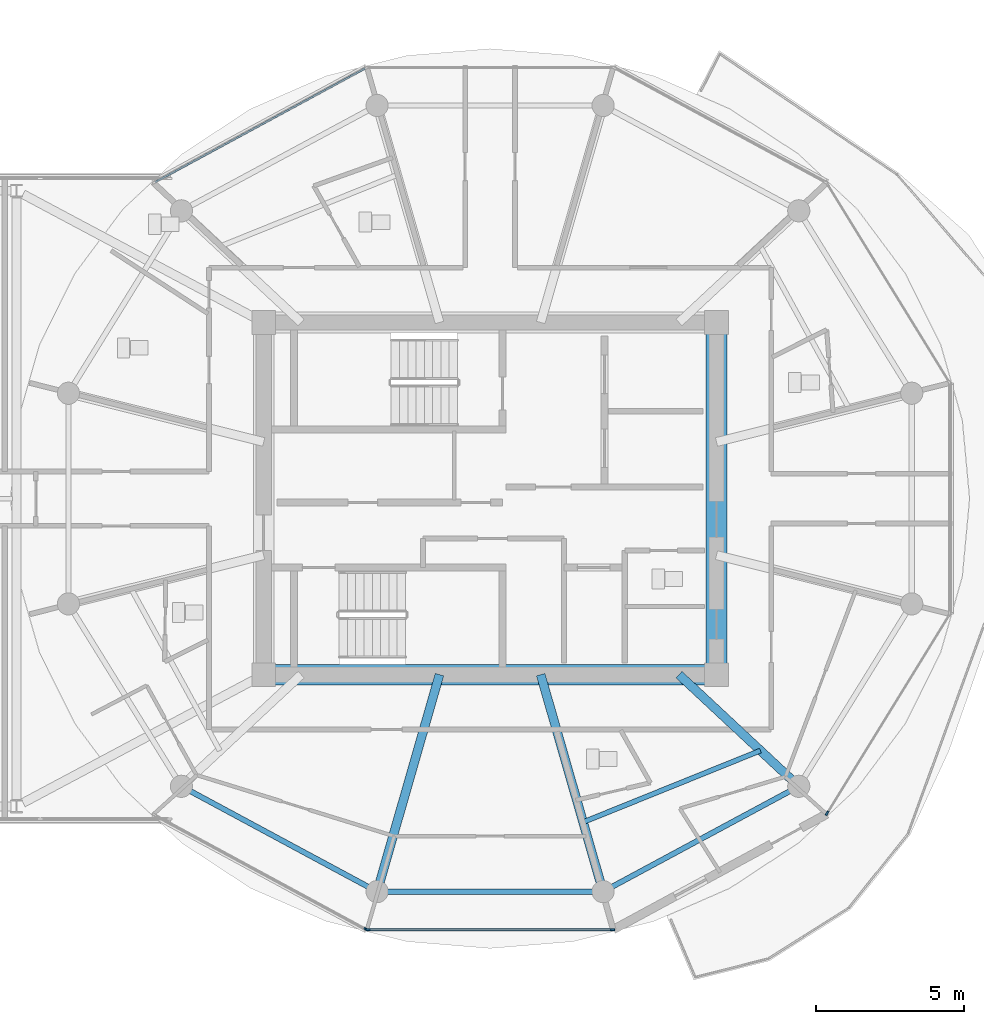
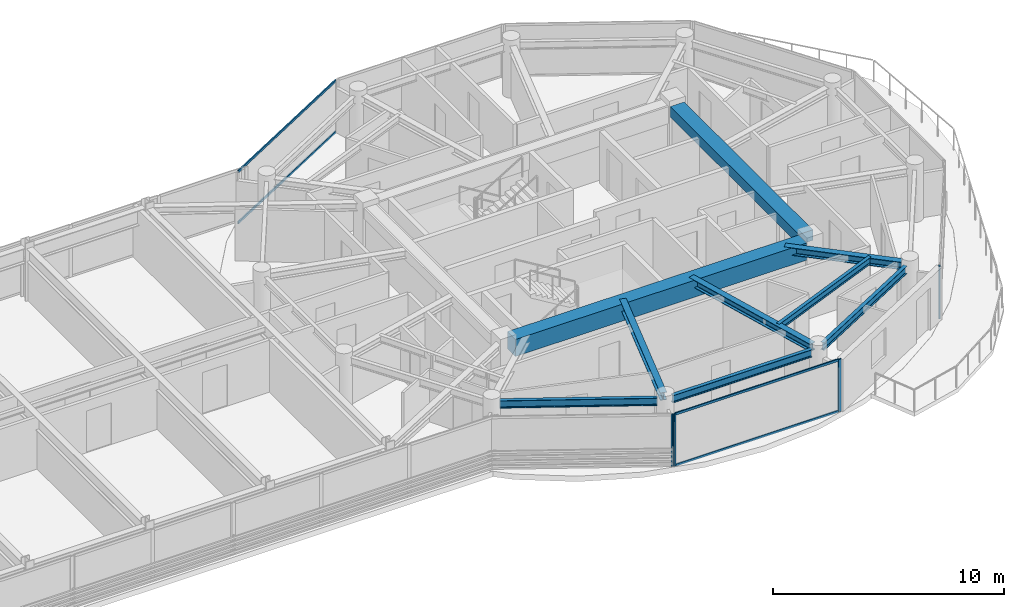
# One storey, part 9 of 26: 9 beams, 8 members, 4 elements without a shape of their own.
"""IFC4 building model written with IfcOpenShell, lengths in metres."""

from ifc_helpers import new_model, si_unit, direction, frame, origin, origin_2d, place, context, subcontext, project, spatial, rectangle, i_section, extrude, source, transform, mapped, material, layer, layer_set, material_profile, profile_set, type_object, type_shapes, element, aggregate, save


model = new_model("IFC4")

# Units and contexts
model_context = context("Model", 3, precision=1e-05, world=origin(), true_north=direction((0.0, 1.0)))
body_context = subcontext(model_context, "Body", "Model", "MODEL_VIEW")
ifc_project = project(units=[si_unit("LENGTHUNIT", "METRE"), si_unit("AREAUNIT", "SQUARE_METRE"), si_unit("VOLUMEUNIT", "CUBIC_METRE"), si_unit("PLANEANGLEUNIT", "RADIAN"), si_unit("MASSUNIT", "GRAM", prefix="KILO")], contexts=[model_context])

# Site, building, storey
site_placement = place(None, origin())
site = spatial("IfcSite", under=ifc_project, at=site_placement, CompositionType="ELEMENT")
building_placement = place(site_placement, origin())
building = spatial("IfcBuilding", under=site, at=building_placement, Name="Norrkilde Senior Care Towers", CompositionType="ELEMENT")
storey_placement = place(building_placement, frame((0.0, 0.0, 210.85009765625)))
storey = spatial("IfcBuildingStorey", under=building, at=storey_placement, Name="L65", CompositionType="ELEMENT", Elevation=210.85009765625)

# Beams
ifc_material_1 = material(Name="Concrete C60/75", Category="concrete")
ifc_material_profile_1 = material_profile(ifc_material_1, rectangle(XDim=0.699951171875, YDim=0.89990234375, at=origin_2d()), Name="RC BM 700x900")
ifc_profile_set_1 = profile_set([ifc_material_profile_1], Name="Concrete C60/75")
beam_type_1 = type_object("IfcBeamType", Name="Core Coupling Girder 700x900", PredefinedType="USERDEFINED", material=ifc_profile_set_1)
shared_shape_1 = source(origin(), body_context, "Body", "SweptSolid", [
    extrude(rectangle(XDim=0.699951171875, YDim=0.89990234375, at=origin_2d()), origin(), (0.0, 0.0, 1.0), 14.5400390625),
])
type_shapes(beam_type_1, [shared_shape_1])
beam_1_placement = place(storey_placement, frame((20.72998046875, -5.949951171875, 2.309814453125), z_axis=(1.0, 0.0, 0.0), x_axis=(0.0, 1.0, 0.0)))
element("IfcBeam", 1, at=beam_1_placement, inside=storey, type_object=beam_type_1, Name="L65 Core E S Coupling Girder", ObjectType="GIRDER", PredefinedType="USERDEFINED", context=body_context, shape_type="MappedRepresentation", body=[
    mapped(shared_shape_1, transform((0.0, 0.0, 0.0), x_axis=(1.0, 0.0, 0.0), y_axis=(0.0, 1.0, 0.0), z_axis=(0.0, 0.0, 1.0), scale=1.0)),
])
ifc_material_profile_2 = material_profile(ifc_material_1, rectangle(XDim=0.699951171875, YDim=0.550048828125, at=origin_2d()), Name="RC BM 700x550")
ifc_profile_set_2 = profile_set([ifc_material_profile_2], Name="Concrete C60/75")
beam_type_2 = type_object("IfcBeamType", Name="Core Portal Coupling Beam 700x550", PredefinedType="USERDEFINED", material=ifc_profile_set_2)
shared_shape_2 = source(origin(), body_context, "Body", "SweptSolid", [
    extrude(rectangle(XDim=0.699951171875, YDim=0.550048828125, at=origin_2d()), origin(), (0.0, 0.0, 1.0), 11.14013671875),
])
type_shapes(beam_type_2, [shared_shape_2])
beam_2_placement = place(storey_placement, frame((35.64990234375, -5.570068359375, 2.48486328125), z_axis=(0.0, 1.0, 0.0), x_axis=(-1.0, 0.0, 0.0)))
element("IfcBeam", 2, at=beam_2_placement, inside=storey, type_object=beam_type_2, Name="L65 Core E E Coupling Girder", ObjectType="GIRDER", PredefinedType="USERDEFINED", context=body_context, shape_type="MappedRepresentation", body=[
    mapped(shared_shape_2, transform((0.0, 0.0, 0.0), x_axis=(1.0, 0.0, 0.0), y_axis=(0.0, 1.0, 0.0), z_axis=(0.0, 0.0, 1.0), scale=1.0)),
])
ifc_material_2 = material(Name="Steel S355", Category="steel")
ifc_material_profile_3 = material_profile(ifc_material_2, i_section(OverallWidth=0.179931640625, OverallDepth=0.39990234375, WebThickness=0.008544921875, FlangeThickness=0.013427734375, FilletRadius=0.02099609375, at=origin_2d()), Name="IPE 400")
ifc_profile_set_3 = profile_set([ifc_material_profile_3], Name="Steel S355")
beam_type_3 = type_object("IfcBeamType", Name="Perimeter Ring Spandrel Z4 IPE400", PredefinedType="SPANDREL", material=ifc_profile_set_3)
shared_shape_3 = source(origin(), body_context, "Body", "SweptSolid", [
    extrude(i_section(OverallWidth=0.179931640625, OverallDepth=0.39990234375, WebThickness=0.008544921875, FlangeThickness=0.013427734375, FilletRadius=0.02099609375, at=origin_2d()), origin(), (0.0, 0.0, 1.0), 6.839111328125),
])
for number, where, z_axis, x_axis, name in (
    (3, (17.865234375, -9.881591796875, 2.559814453125), (0.880563930732, -0.473927382511, 0.0), (0.473927382511, 0.880563930732, 0.0), "L65 Drum E Perimeter Spandrel 08"),
    (4, (32.112548828125, -13.122802734375, 2.559814453125), (0.880563930732, 0.473927382511, 0.0), (-0.473927382511, 0.880563930732, 0.0), "L65 Drum E Perimeter Spandrel 10"),
):
    element("IfcBeam", number, at=place(storey_placement, frame(where, z_axis=z_axis, x_axis=x_axis)), inside=storey, type_object=beam_type_3, Name=name, PredefinedType="SPANDREL", context=body_context, shape_type="MappedRepresentation", body=[
        mapped(shared_shape_3, transform((0.0, 0.0, 0.0), x_axis=(1.0, 0.0, 0.0), y_axis=(0.0, 1.0, 0.0), z_axis=(0.0, 0.0, 1.0), scale=1.0)),
    ])
ifc_material_profile_4 = material_profile(ifc_material_2, i_section(OverallWidth=0.300048828125, OverallDepth=0.39990234375, WebThickness=0.013427734375, FlangeThickness=0.02392578125, FilletRadius=0.027099609375, at=origin_2d()), Name="HEB 400")
ifc_profile_set_4 = profile_set([ifc_material_profile_4], Name="Steel S355")
beam_type_4 = type_object("IfcBeamType", Name="Radial Floor Beam Z4 HEB400", PredefinedType="BEAM", material=ifc_profile_set_4)
shared_shape_4 = source(origin(), body_context, "Body", "SweptSolid", [
    extrude(i_section(OverallWidth=0.300048828125, OverallDepth=0.39990234375, WebThickness=0.013427734375, FlangeThickness=0.02392578125, FilletRadius=0.027099609375, at=origin_2d()), origin(), (0.0, 0.0, 1.0), 5.197998046875),
])
beam_3_placement = place(storey_placement, frame((34.3828125, -5.949951171875, 2.559814453125), z_axis=(0.731448749334, -0.681896419625, 0.0), x_axis=(0.681896419625, 0.731448749334, 0.0)))
element("IfcBeam", 5, at=beam_3_placement, inside=storey, type_object=beam_type_4, Name="L65 Drum E Radial Floor Beam 11", PredefinedType="BEAM", context=body_context, shape_type="MappedRepresentation", body=[
    mapped(shared_shape_4, transform((0.0, 0.0, 0.0), x_axis=(1.0, 0.0, 0.0), y_axis=(0.0, 1.0, 0.0), z_axis=(0.0, 0.0, 1.0), scale=1.0)),
])
shared_shape_5 = source(origin(), body_context, "Body", "SweptSolid", [
    extrude(i_section(OverallWidth=0.179931640625, OverallDepth=0.39990234375, WebThickness=0.008544921875, FlangeThickness=0.013427734375, FilletRadius=0.02099609375, at=origin_2d()), origin(), (0.0, 0.0, 1.0), 6.96533203125),
])
type_shapes(beam_type_3, [shared_shape_3, shared_shape_5])
beam_4_placement = place(storey_placement, frame((24.517333984375, -13.281494140625, 2.559814453125), z_axis=(1.0, 0.0, 0.0), x_axis=(0.0, 1.0, 0.0)))
element("IfcBeam", 6, at=beam_4_placement, inside=storey, type_object=beam_type_3, Name="L65 Drum E Perimeter Spandrel 09", PredefinedType="SPANDREL", context=body_context, shape_type="MappedRepresentation", body=[
    mapped(shared_shape_5, transform((0.0, 0.0, 0.0), x_axis=(1.0, 0.0, 0.0), y_axis=(0.0, 1.0, 0.0), z_axis=(0.0, 0.0, 1.0), scale=1.0)),
])
shared_shape_6 = source(origin(), body_context, "Body", "SweptSolid", [
    extrude(i_section(OverallWidth=0.300048828125, OverallDepth=0.39990234375, WebThickness=0.013427734375, FlangeThickness=0.02392578125, FilletRadius=0.027099609375, at=origin_2d()), origin(), (0.0, 0.0, 1.0), 7.29345703125),
])
type_shapes(beam_type_4, [shared_shape_4, shared_shape_6])
for number, where, z_axis, x_axis, name in (
    (7, (26.289794921875, -5.949951171875, 2.559814453125), (-0.276263751906, -0.961081858836, 0.0), (0.961081858836, -0.276263751906, 0.0), "L65 Drum E Radial Floor Beam 09"),
    (8, (29.710205078125, -5.949951171875, 2.559814453125), (0.276263751906, -0.961081858836, 0.0), (0.961081858836, 0.276263751906, 0.0), "L65 Drum E Radial Floor Beam 10"),
):
    element("IfcBeam", number, at=place(storey_placement, frame(where, z_axis=z_axis, x_axis=x_axis)), inside=storey, type_object=beam_type_4, Name=name, PredefinedType="BEAM", context=body_context, shape_type="MappedRepresentation", body=[
        mapped(shared_shape_6, transform((0.0, 0.0, 0.0), x_axis=(1.0, 0.0, 0.0), y_axis=(0.0, 1.0, 0.0), z_axis=(0.0, 0.0, 1.0), scale=1.0)),
    ])
ifc_material_profile_5 = material_profile(ifc_material_2, i_section(OverallWidth=0.169921875, OverallDepth=0.360107421875, WebThickness=0.008056640625, FlangeThickness=0.0126953125, FilletRadius=0.01806640625, at=origin_2d()), Name="IPE 360")
ifc_profile_set_5 = profile_set([ifc_material_profile_5], Name="Steel S355")
beam_type_5 = type_object("IfcBeamType", Name="Secondary Floor Joist IPE360", PredefinedType="JOIST", material=ifc_profile_set_5)
shared_shape_7 = source(origin(), body_context, "Body", "SweptSolid", [
    extrude(i_section(OverallWidth=0.169921875, OverallDepth=0.360107421875, WebThickness=0.008056640625, FlangeThickness=0.0126953125, FilletRadius=0.01806640625, at=origin_2d()), origin(), (0.0, 0.0, 1.0), 6.461669921875),
])
type_shapes(beam_type_5, [shared_shape_7])
beam_5_placement = place(storey_placement, frame((31.143310546875, -10.935302734375, 2.579833984375), z_axis=(0.927225942298, 0.374502405772, 0.0), x_axis=(-0.374502405772, 0.927225942298, 0.0)))
element("IfcBeam", 9, at=beam_5_placement, inside=storey, type_object=beam_type_5, Name="L65 Drum E Secondary Floor Joist 4", PredefinedType="JOIST", context=body_context, shape_type="MappedRepresentation", body=[
    mapped(shared_shape_7, transform((0.0, 0.0, 0.0), x_axis=(1.0, 0.0, 0.0), y_axis=(0.0, 1.0, 0.0), z_axis=(0.0, 0.0, 1.0), scale=1.0)),
])

# Curtain wall, members
ifc_material_3 = material(Name="Triple Low-E Insulated Glazing", Category="glass")
ifc_layer = layer(ifc_material_3, 0.18505859375)
ifc_layer_set = layer_set([ifc_layer], Name="Triple Low-E Insulated Glazing")
curtain_wall_type = type_object("IfcCurtainWallType", Name="CW6 Zone 4 Crown Pavilion Curtain Wall", PredefinedType="NOTDEFINED", material=ifc_layer_set)
curtain_wall_1_placement = place(storey_placement, origin())
curtain_wall_1 = element("IfcCurtainWall", 10, at=curtain_wall_1_placement, inside=storey, type_object=curtain_wall_type, Name="L65 Drum E Curtain Wall 08", PredefinedType="NOTDEFINED")
ifc_material_4 = material(Name="Anodised Aluminium", Category="aluminium")
ifc_material_profile_6 = material_profile(ifc_material_4, rectangle(XDim=0.06005859375, YDim=0.1201171875, at=origin_2d()), Name="ALU TRAN 60x120")
ifc_profile_set_6 = profile_set([ifc_material_profile_6], Name="Anodised Aluminium")
member_type_1 = type_object("IfcMemberType", Name="Curtain Wall Transom Typical 60x120", PredefinedType="USERDEFINED", material=ifc_profile_set_6)
shared_shape_8 = source(origin(), body_context, "Body", "SweptSolid", [
    extrude(rectangle(XDim=0.06005859375, YDim=0.1201171875, at=origin_2d()), origin(), (0.0, 0.0, 1.0), 8.19384765625),
])
member_1_placement = place(storey_placement, frame((32.096923828125, -14.566162109375, 0.02978515625), z_axis=(-1.0, 0.0, 0.0), x_axis=(0.0, -1.0, 0.0)))
member_1 = element("IfcMember", 11, at=member_1_placement, type_object=member_type_1, Name="CW-6 transom 1.1", ObjectType="TRANSOM", PredefinedType="USERDEFINED", context=body_context, shape_type="MappedRepresentation", body=[
    mapped(shared_shape_8, transform((0.0, 0.0, 0.0), x_axis=(1.0, 0.0, 0.0), y_axis=(0.0, 1.0, 0.0), z_axis=(0.0, 0.0, 1.0), scale=1.0)),
])
member_2_placement = place(storey_placement, frame((32.096923828125, -14.566162109375, 2.72998046875), z_axis=(-1.0, 0.0, 0.0), x_axis=(0.0, -1.0, 0.0)))
member_2 = element("IfcMember", 12, at=member_2_placement, type_object=member_type_1, Name="CW-6 transom 1.2", ObjectType="TRANSOM", PredefinedType="USERDEFINED", context=body_context, shape_type="MappedRepresentation", body=[
    mapped(shared_shape_8, transform((0.0, 0.0, 0.0), x_axis=(1.0, 0.0, 0.0), y_axis=(0.0, 1.0, 0.0), z_axis=(0.0, 0.0, 1.0), scale=1.0)),
])

curtain_wall_2_placement = place(storey_placement, origin())
curtain_wall_2 = element("IfcCurtainWall", 13, at=curtain_wall_2_placement, inside=storey, type_object=curtain_wall_type, Name="L65 Drum E Curtain Wall 03", PredefinedType="NOTDEFINED")
shared_shape_9 = source(origin(), body_context, "Body", "SweptSolid", [
    extrude(rectangle(XDim=0.06005859375, YDim=0.1201171875, at=origin_2d()), origin(), (0.0, 0.0, 1.0), 8.0673828125),
])
type_shapes(member_type_1, [shared_shape_8, shared_shape_9])
member_3_placement = place(storey_placement, frame((16.686767578125, 10.694091796875, 0.02978515625), z_axis=(0.87937750072, 0.476125205411, 0.0), x_axis=(-0.476125205411, 0.87937750072, 0.0)))
member_3 = element("IfcMember", 14, at=member_3_placement, type_object=member_type_1, Name="CW-6 transom 1.1", ObjectType="TRANSOM", PredefinedType="USERDEFINED", context=body_context, shape_type="MappedRepresentation", body=[
    mapped(shared_shape_9, transform((0.0, 0.0, 0.0), x_axis=(1.0, 0.0, 0.0), y_axis=(0.0, 1.0, 0.0), z_axis=(0.0, 0.0, 1.0), scale=1.0)),
])
member_4_placement = place(storey_placement, frame((16.686767578125, 10.694091796875, 2.72998046875), z_axis=(0.87937750072, 0.476125205411, 0.0), x_axis=(-0.476125205411, 0.87937750072, 0.0)))
member_4 = element("IfcMember", 15, at=member_4_placement, type_object=member_type_1, Name="CW-6 transom 1.2", ObjectType="TRANSOM", PredefinedType="USERDEFINED", context=body_context, shape_type="MappedRepresentation", body=[
    mapped(shared_shape_9, transform((0.0, 0.0, 0.0), x_axis=(1.0, 0.0, 0.0), y_axis=(0.0, 1.0, 0.0), z_axis=(0.0, 0.0, 1.0), scale=1.0)),
])
aggregate(curtain_wall_2, [member_3, member_4])

# Curtain wall, member
curtain_wall_3_placement = place(storey_placement, origin())
curtain_wall_3 = element("IfcCurtainWall", 16, at=curtain_wall_3_placement, inside=storey, type_object=curtain_wall_type, Name="L65 Drum E Curtain Wall 07", PredefinedType="NOTDEFINED")
ifc_material_profile_7 = material_profile(ifc_material_4, rectangle(XDim=0.06494140625, YDim=0.14990234375, at=origin_2d()), Name="ALU MULL 65x150")
ifc_profile_set_7 = profile_set([ifc_material_profile_7], Name="Anodised Aluminium")
member_type_2 = type_object("IfcMemberType", Name="Curtain Wall Mullion Z3-Z4 65x150", PredefinedType="MULLION", material=ifc_profile_set_7)
shared_shape_10 = source(origin(), body_context, "Body", "SweptSolid", [
    extrude(rectangle(XDim=0.06494140625, YDim=0.14990234375, at=origin_2d()), origin(), (0.0, 0.0, 1.0), 2.760009765625),
])
type_shapes(member_type_2, [shared_shape_10])
member_5_placement = place(storey_placement, frame((23.8095703125, -14.55078125, 0.0), z_axis=(0.0, 0.0, 1.0), x_axis=(-0.476132676136, -0.879373455772, 0.0)))
member_5 = element("IfcMember", 17, at=member_5_placement, type_object=member_type_2, Name="CW-6 mullion 1", PredefinedType="MULLION", context=body_context, shape_type="MappedRepresentation", body=[
    mapped(shared_shape_10, transform((0.0, 0.0, 0.0), x_axis=(1.0, 0.0, 0.0), y_axis=(0.0, 1.0, 0.0), z_axis=(0.0, 0.0, 1.0), scale=1.0)),
])
aggregate(curtain_wall_3, [member_5])

# Member
member_6_placement = place(storey_placement, frame((32.12939453125, -14.566162109375, 0.0), z_axis=(0.0, 0.0, 1.0), x_axis=(0.0, -1.0, 0.0)))
member_6 = element("IfcMember", 18, at=member_6_placement, type_object=member_type_2, Name="CW-6 mullion 1", PredefinedType="MULLION", context=body_context, shape_type="MappedRepresentation", body=[
    mapped(shared_shape_10, transform((0.0, 0.0, 0.0), x_axis=(1.0, 0.0, 0.0), y_axis=(0.0, 1.0, 0.0), z_axis=(0.0, 0.0, 1.0), scale=1.0)),
])

member_7_placement = place(storey_placement, frame((23.87060546875, -14.566162109375, 0.0), z_axis=(0.0, 0.0, 1.0), x_axis=(0.0, -1.0, 0.0)))
member_7 = element("IfcMember", 19, at=member_7_placement, type_object=member_type_2, Name="CW-6 mullion 2", PredefinedType="MULLION", context=body_context, shape_type="MappedRepresentation", body=[
    mapped(shared_shape_10, transform((0.0, 0.0, 0.0), x_axis=(1.0, 0.0, 0.0), y_axis=(0.0, 1.0, 0.0), z_axis=(0.0, 0.0, 1.0), scale=1.0)),
])

aggregate(curtain_wall_1, [member_6, member_7, member_1, member_2])

# Curtain wall, member
curtain_wall_4_placement = place(storey_placement, origin())
curtain_wall_4 = element("IfcCurtainWall", 20, at=curtain_wall_4_placement, inside=storey, type_object=curtain_wall_type, Name="L65 Drum E Curtain Wall 10", PredefinedType="NOTDEFINED")
member_8_placement = place(storey_placement, frame((39.38720703125, -10.635498046875, 0.0), z_axis=(0.0, 0.0, 1.0), x_axis=(0.851562727283, -0.524252726748, 0.0)))
member_8 = element("IfcMember", 21, at=member_8_placement, type_object=member_type_2, Name="CW-6 mullion 2", PredefinedType="MULLION", context=body_context, shape_type="MappedRepresentation", body=[
    mapped(shared_shape_10, transform((0.0, 0.0, 0.0), x_axis=(1.0, 0.0, 0.0), y_axis=(0.0, 1.0, 0.0), z_axis=(0.0, 0.0, 1.0), scale=1.0)),
])
aggregate(curtain_wall_4, [member_8])

save(model, "model.ifc")
